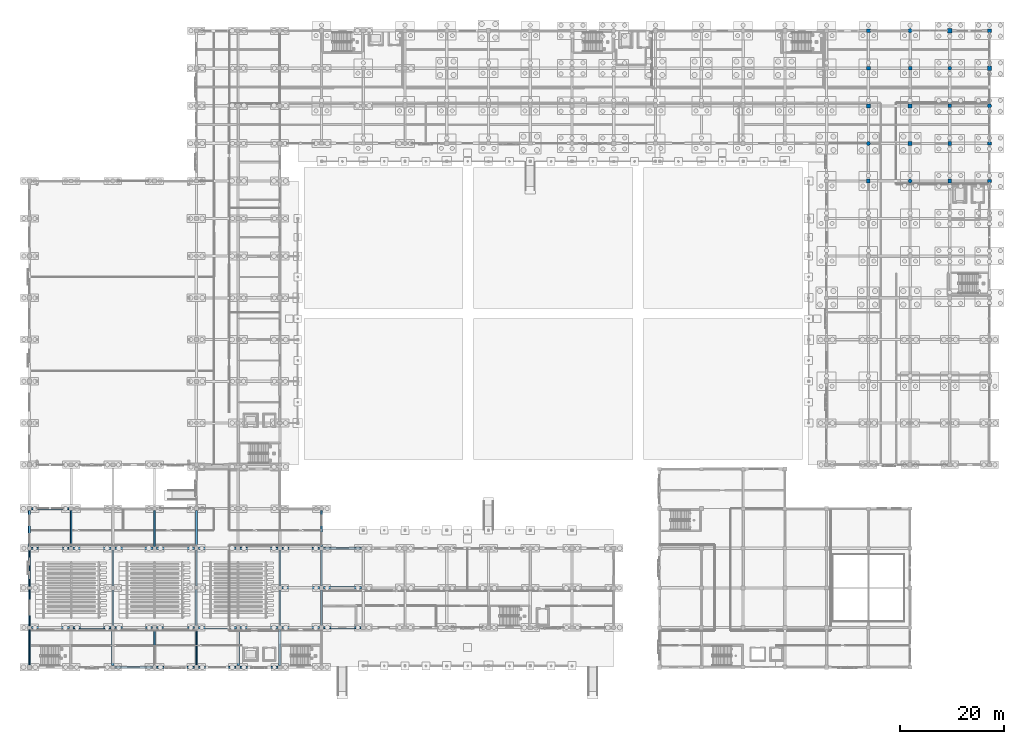
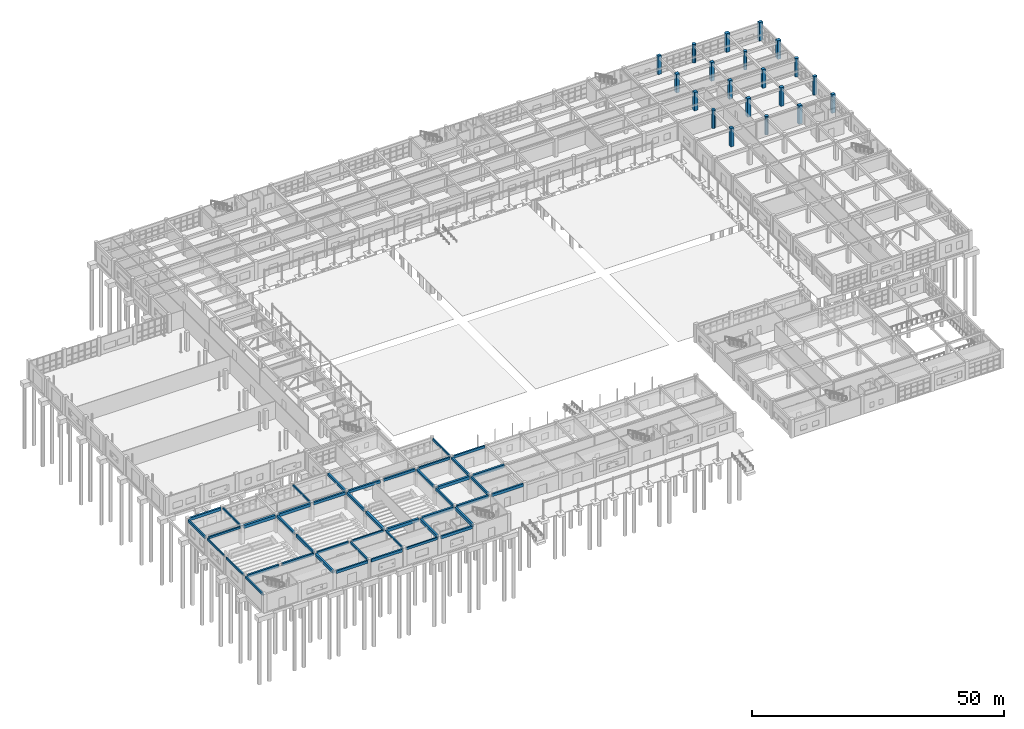
# One storey, part 49 of 166: 44 beams, 20 columns.
"""IFC4 building model written with IfcOpenShell, lengths in metres."""

from ifc_helpers import new_model, si_unit, direction, frame, origin, origin_2d, place, context, subcontext, project, spatial, rectangle, circle, extrude, material, material_profile, profile_set, type_object, element, save


model = new_model("IFC4")

# Units and contexts
model_context = context("Model", 3, precision=1e-05, world=origin(), true_north=direction((0.0, 1.0)))
body_context = subcontext(model_context, "Body", "Model", "MODEL_VIEW")
ifc_project = project(units=[si_unit("LENGTHUNIT", "METRE"), si_unit("AREAUNIT", "SQUARE_METRE"), si_unit("VOLUMEUNIT", "CUBIC_METRE"), si_unit("PLANEANGLEUNIT", "RADIAN"), si_unit("MASSUNIT", "GRAM", prefix="KILO")], contexts=[model_context])

# Site, building, storey
site_placement = place(None, origin())
site = spatial("IfcSite", under=ifc_project, at=site_placement, CompositionType="ELEMENT")
building_placement = place(site_placement, origin())
building = spatial("IfcBuilding", under=site, at=building_placement, Name="Kharva Crest Polytechnic", CompositionType="ELEMENT")
storey_placement = place(building_placement, origin())
storey = spatial("IfcBuildingStorey", under=building, at=storey_placement, Name="L00", CompositionType="ELEMENT", Elevation=0.0)

# Columns
ifc_material_1 = material(Name="Concrete C40/50", Category="concrete")
ifc_material_profile_1 = material_profile(ifc_material_1, rectangle(XDim=0.780029296875, YDim=0.60009765625, at=origin_2d()), Name="RECT 780 X 600")
ifc_profile_set_1 = profile_set([ifc_material_profile_1], Name="Concrete C40/50")
column_type_1 = type_object("IfcColumnType", Name="COL-EXT-780X600", PredefinedType="COLUMN", material=ifc_profile_set_1)
for number, where, z_axis, x_axis, name in (
    (1, (160.800048828125, 122.0, 0.0), (0.0, 0.0, 1.0), (1.0, 0.0, 0.0), "L00 Column 21/S"),
    (2, (184.0, 100.39990234375, 0.0), (0.0, 0.0, 1.0), (1.0, 0.0, 0.0), "L00 Column 24/P"),
):
    element("IfcColumn", number, at=place(storey_placement, frame(where, z_axis=z_axis, x_axis=x_axis)), inside=storey, type_object=column_type_1, Name=name, PredefinedType="COLUMN", context=body_context, shape_type="SweptSolid", body=[
        extrude(rectangle(XDim=0.780029296875, YDim=0.60009765625, at=origin_2d()), origin(), (0.0, 0.0, 1.0), 4.5),
    ])
ifc_material_profile_2 = material_profile(ifc_material_1, rectangle(XDim=0.800048828125, YDim=0.64990234375, at=origin_2d()), Name="RECT 800 X 650")
ifc_profile_set_2 = profile_set([ifc_material_profile_2], Name="Concrete C40/50")
column_type_2 = type_object("IfcColumnType", Name="COL-EXT-800X650", PredefinedType="COLUMN", material=ifc_profile_set_2)
for number, where, z_axis, x_axis, name in (
    (3, (184.0, 93.199951171875, 0.0), (0.0, 0.0, 1.0), (1.0, 0.0, 0.0), "L00 Column 24/N"),
    (4, (184.0, 122.0, 0.0), (0.0, 0.0, 1.0), (1.0, 0.0, 0.0), "L00 Column 24/S"),
):
    element("IfcColumn", number, at=place(storey_placement, frame(where, z_axis=z_axis, x_axis=x_axis)), inside=storey, type_object=column_type_2, Name=name, PredefinedType="COLUMN", context=body_context, shape_type="SweptSolid", body=[
        extrude(rectangle(XDim=0.800048828125, YDim=0.64990234375, at=origin_2d()), origin(), (0.0, 0.0, 1.0), 4.5),
    ])
ifc_material_profile_3 = material_profile(ifc_material_1, rectangle(XDim=0.800048828125, YDim=0.800048828125, at=origin_2d()), Name="RECT 800 X 800")
ifc_profile_set_3 = profile_set([ifc_material_profile_3], Name="Concrete C40/50")
column_type_3 = type_object("IfcColumnType", Name="COL-EXT-800X800", PredefinedType="COLUMN", material=ifc_profile_set_3)
for number, where, z_axis, x_axis, name in (
    (5, (176.39990234375, 122.0, 0.0), (0.0, 0.0, 1.0), (1.0, 0.0, 0.0), "L00 Column 23/S"),
    (6, (184.0, 114.800048828125, 0.0), (0.0, 0.0, 1.0), (1.0, 0.0, 0.0), "L00 Column 24/R"),
):
    element("IfcColumn", number, at=place(storey_placement, frame(where, z_axis=z_axis, x_axis=x_axis)), inside=storey, type_object=column_type_3, Name=name, PredefinedType="COLUMN", context=body_context, shape_type="SweptSolid", body=[
        extrude(rectangle(XDim=0.800048828125, YDim=0.800048828125, at=origin_2d()), origin(), (0.0, 0.0, 1.0), 4.5),
    ])
ifc_material_profile_4 = material_profile(ifc_material_1, circle(Radius=0.39990234375, at=origin_2d()), Name="DIA 800")
ifc_profile_set_4 = profile_set([ifc_material_profile_4], Name="Concrete C40/50")
column_type_4 = type_object("IfcColumnType", Name="COL-EXT-DIA800", PredefinedType="COLUMN", material=ifc_profile_set_4)
for number, where, z_axis, x_axis, name in (
    (7, (168.800048828125, 122.0, 0.0), (0.0, 0.0, 1.0), (1.0, 0.0, 0.0), "L00 Column 22/S"),
    (8, (184.0, 107.60009765625, 0.0), (0.0, 0.0, 1.0), (1.0, 0.0, 0.0), "L00 Column 24/Q"),
):
    element("IfcColumn", number, at=place(storey_placement, frame(where, z_axis=z_axis, x_axis=x_axis)), inside=storey, type_object=column_type_4, Name=name, PredefinedType="COLUMN", context=body_context, shape_type="SweptSolid", body=[
        extrude(circle(Radius=0.39990234375, at=origin_2d()), origin(), (0.0, 0.0, 1.0), 4.5),
    ])
ifc_material_profile_5 = material_profile(ifc_material_1, rectangle(XDim=0.699951171875, YDim=0.699951171875, at=origin_2d()), Name="RECT 700 X 700")
ifc_profile_set_5 = profile_set([ifc_material_profile_5], Name="Concrete C40/50")
column_type_5 = type_object("IfcColumnType", Name="COL-INT-700X700", PredefinedType="COLUMN", material=ifc_profile_set_5)
for number, where, z_axis, x_axis, name in (
    (9, (160.800048828125, 93.199951171875, 0.0), (0.0, 0.0, 1.0), (1.0, 0.0, 0.0), "L00 Column 21/N"),
    (10, (168.800048828125, 114.800048828125, 0.0), (0.0, 0.0, 1.0), (1.0, 0.0, 0.0), "L00 Column 22/R"),
    (11, (176.39990234375, 107.60009765625, 0.0), (0.0, 0.0, 1.0), (1.0, 0.0, 0.0), "L00 Column 23/Q"),
):
    element("IfcColumn", number, at=place(storey_placement, frame(where, z_axis=z_axis, x_axis=x_axis)), inside=storey, type_object=column_type_5, Name=name, PredefinedType="COLUMN", context=body_context, shape_type="SweptSolid", body=[
        extrude(rectangle(XDim=0.699951171875, YDim=0.699951171875, at=origin_2d()), origin(), (0.0, 0.0, 1.0), 4.5),
    ])
ifc_material_profile_6 = material_profile(ifc_material_1, rectangle(XDim=0.739990234375, YDim=0.739990234375, at=origin_2d()), Name="RECT 740 X 740")
ifc_profile_set_6 = profile_set([ifc_material_profile_6], Name="Concrete C40/50")
column_type_6 = type_object("IfcColumnType", Name="COL-INT-740X740", PredefinedType="COLUMN", material=ifc_profile_set_6)
for number, where, z_axis, x_axis, name in (
    (12, (160.800048828125, 114.800048828125, 0.0), (0.0, 0.0, 1.0), (1.0, 0.0, 0.0), "L00 Column 21/R"),
    (13, (168.800048828125, 107.60009765625, 0.0), (0.0, 0.0, 1.0), (1.0, 0.0, 0.0), "L00 Column 22/Q"),
    (14, (176.39990234375, 100.39990234375, 0.0), (0.0, 0.0, 1.0), (1.0, 0.0, 0.0), "L00 Column 23/P"),
):
    element("IfcColumn", number, at=place(storey_placement, frame(where, z_axis=z_axis, x_axis=x_axis)), inside=storey, type_object=column_type_6, Name=name, PredefinedType="COLUMN", context=body_context, shape_type="SweptSolid", body=[
        extrude(rectangle(XDim=0.739990234375, YDim=0.739990234375, at=origin_2d()), origin(), (0.0, 0.0, 1.0), 4.5),
    ])
ifc_material_profile_7 = material_profile(ifc_material_1, rectangle(XDim=0.760009765625, YDim=0.760009765625, at=origin_2d()), Name="RECT 760 X 760")
ifc_profile_set_7 = profile_set([ifc_material_profile_7], Name="Concrete C40/50")
column_type_7 = type_object("IfcColumnType", Name="COL-INT-760X760", PredefinedType="COLUMN", material=ifc_profile_set_7)
for number, where, z_axis, x_axis, name in (
    (15, (160.800048828125, 107.60009765625, 0.0), (0.0, 0.0, 1.0), (1.0, 0.0, 0.0), "L00 Column 21/Q"),
    (16, (168.800048828125, 100.39990234375, 0.0), (0.0, 0.0, 1.0), (1.0, 0.0, 0.0), "L00 Column 22/P"),
    (17, (176.39990234375, 93.199951171875, 0.0), (0.0, 0.0, 1.0), (1.0, 0.0, 0.0), "L00 Column 23/N"),
):
    element("IfcColumn", number, at=place(storey_placement, frame(where, z_axis=z_axis, x_axis=x_axis)), inside=storey, type_object=column_type_7, Name=name, PredefinedType="COLUMN", context=body_context, shape_type="SweptSolid", body=[
        extrude(rectangle(XDim=0.760009765625, YDim=0.760009765625, at=origin_2d()), origin(), (0.0, 0.0, 1.0), 4.5),
    ])
ifc_material_profile_8 = material_profile(ifc_material_1, circle(Radius=0.375, at=origin_2d()), Name="DIA 750")
ifc_profile_set_8 = profile_set([ifc_material_profile_8], Name="Concrete C40/50")
column_type_8 = type_object("IfcColumnType", Name="COL-INT-DIA750", PredefinedType="COLUMN", material=ifc_profile_set_8)
for number, where, z_axis, x_axis, name in (
    (18, (160.800048828125, 100.39990234375, 0.0), (0.0, 0.0, 1.0), (1.0, 0.0, 0.0), "L00 Column 21/P"),
    (19, (168.800048828125, 93.199951171875, 0.0), (0.0, 0.0, 1.0), (1.0, 0.0, 0.0), "L00 Column 22/N"),
    (20, (176.39990234375, 114.800048828125, 0.0), (0.0, 0.0, 1.0), (1.0, 0.0, 0.0), "L00 Column 23/R"),
):
    element("IfcColumn", number, at=place(storey_placement, frame(where, z_axis=z_axis, x_axis=x_axis)), inside=storey, type_object=column_type_8, Name=name, PredefinedType="COLUMN", context=body_context, shape_type="SweptSolid", body=[
        extrude(circle(Radius=0.375, at=origin_2d()), origin(), (0.0, 0.0, 1.0), 4.5),
    ])

# Beams
ifc_material_2 = material(Name="Concrete C35/45", Category="concrete")
ifc_material_profile_9 = material_profile(ifc_material_2, rectangle(XDim=0.300048828125, YDim=0.449951171875, at=origin_2d()), Name="RECT 300 X 450")
ifc_profile_set_9 = profile_set([ifc_material_profile_9], Name="Concrete C35/45")
beam_type_1 = type_object("IfcBeamType", Name="BM-RC-300X450", PredefinedType="BEAM", material=ifc_profile_set_9)
beam_1_placement = place(storey_placement, frame((8.0, 23.179931640625, 3.9951171875), z_axis=(0.0, 1.0, 0.0), x_axis=(-1.0, 0.0, 0.0)))
element("IfcBeam", 21, at=beam_1_placement, inside=storey, type_object=beam_type_1, Name="L00 Girder 2/D-E", PredefinedType="BEAM", context=body_context, shape_type="SweptSolid", body=[
    extrude(rectangle(XDim=0.300048828125, YDim=0.449951171875, at=origin_2d()), origin(), (0.0, 0.0, 1.0), 6.89501953125),
])
beam_2_placement = place(storey_placement, frame((32.0, 0.39990234375, 3.9951171875), z_axis=(0.0, 1.0, 0.0), x_axis=(-1.0, 0.0, 0.0)))
element("IfcBeam", 22, at=beam_2_placement, inside=storey, type_object=beam_type_1, Name="L00 Girder 5/A-B", PredefinedType="BEAM", context=body_context, shape_type="SweptSolid", body=[
    extrude(rectangle(XDim=0.300048828125, YDim=0.449951171875, at=origin_2d()), origin(), (0.0, 0.0, 1.0), 6.830078125),
])
ifc_material_profile_10 = material_profile(ifc_material_2, rectangle(XDim=0.300048828125, YDim=0.47998046875, at=origin_2d()), Name="RECT 300 X 480")
ifc_profile_set_10 = profile_set([ifc_material_profile_10], Name="Concrete C35/45")
beam_type_2 = type_object("IfcBeamType", Name="BM-RC-300X480", PredefinedType="BEAM", material=ifc_profile_set_10)
beam_3_placement = place(storey_placement, frame((24.0, 23.14990234375, 3.97998046875), z_axis=(0.0, 1.0, 0.0), x_axis=(-1.0, 0.0, 0.0)))
element("IfcBeam", 23, at=beam_3_placement, inside=storey, type_object=beam_type_2, Name="L00 Girder 4/D-E", PredefinedType="BEAM", context=body_context, shape_type="SweptSolid", body=[
    extrude(rectangle(XDim=0.300048828125, YDim=0.47998046875, at=origin_2d()), origin(), (0.0, 0.0, 1.0), 6.85009765625),
])
ifc_material_profile_11 = material_profile(ifc_material_2, rectangle(XDim=0.320068359375, YDim=0.5, at=origin_2d()), Name="RECT 320 X 500")
ifc_profile_set_11 = profile_set([ifc_material_profile_11], Name="Concrete C35/45")
beam_type_3 = type_object("IfcBeamType", Name="BM-RC-320X500", PredefinedType="BEAM", material=ifc_profile_set_11)
beam_4_placement = place(storey_placement, frame((24.3798828125, 7.60009765625, 3.969970703125), z_axis=(1.0, 0.0, 0.0), x_axis=(0.0, 1.0, 0.0)))
element("IfcBeam", 24, at=beam_4_placement, inside=storey, type_object=beam_type_3, Name="L00 Beam B/4-5", PredefinedType="BEAM", context=body_context, shape_type="SweptSolid", body=[
    extrude(rectangle(XDim=0.320068359375, YDim=0.5, at=origin_2d()), origin(), (0.0, 0.0, 1.0), 7.25),
])
beam_5_placement = place(storey_placement, frame((0.39990234375, 22.800048828125, 3.969970703125), z_axis=(1.0, 0.0, 0.0), x_axis=(0.0, 1.0, 0.0)))
element("IfcBeam", 25, at=beam_5_placement, inside=storey, type_object=beam_type_3, Name="L00 Beam D/1-2", PredefinedType="BEAM", context=body_context, shape_type="SweptSolid", body=[
    extrude(rectangle(XDim=0.320068359375, YDim=0.5, at=origin_2d()), origin(), (0.0, 0.0, 1.0), 7.22021484375),
])
ifc_material_profile_12 = material_profile(ifc_material_2, rectangle(XDim=0.340087890625, YDim=0.52001953125, at=origin_2d()), Name="RECT 340 X 520")
ifc_profile_set_12 = profile_set([ifc_material_profile_12], Name="Concrete C35/45")
beam_type_4 = type_object("IfcBeamType", Name="BM-RC-340X520", PredefinedType="BEAM", material=ifc_profile_set_12)
beam_6_placement = place(storey_placement, frame((24.0, 0.39990234375, 3.9599609375), z_axis=(0.0, 1.0, 0.0), x_axis=(-1.0, 0.0, 0.0)))
element("IfcBeam", 26, at=beam_6_placement, inside=storey, type_object=beam_type_4, Name="L00 Girder 4/A-B", PredefinedType="BEAM", context=body_context, shape_type="SweptSolid", body=[
    extrude(rectangle(XDim=0.340087890625, YDim=0.52001953125, at=origin_2d()), origin(), (0.0, 0.0, 1.0), 6.820068359375),
])
ifc_material_profile_13 = material_profile(ifc_material_2, rectangle(XDim=0.35009765625, YDim=0.550048828125, at=origin_2d()), Name="RECT 350 X 550")
ifc_profile_set_13 = profile_set([ifc_material_profile_13], Name="Concrete C35/45")
beam_type_5 = type_object("IfcBeamType", Name="BM-RC-350X550", PredefinedType="BEAM", material=ifc_profile_set_13)
beam_7_placement = place(storey_placement, frame((16.375, 7.60009765625, 3.945068359375), z_axis=(1.0, 0.0, 0.0), x_axis=(0.0, 1.0, 0.0)))
element("IfcBeam", 27, at=beam_7_placement, inside=storey, type_object=beam_type_5, Name="L00 Beam B/3-4", PredefinedType="BEAM", context=body_context, shape_type="SweptSolid", body=[
    extrude(rectangle(XDim=0.35009765625, YDim=0.550048828125, at=origin_2d()), origin(), (0.0, 0.0, 1.0), 7.2451171875),
])
beam_8_placement = place(storey_placement, frame((48.3701171875, 22.800048828125, 3.945068359375), z_axis=(1.0, 0.0, 0.0), x_axis=(0.0, 1.0, 0.0)))
element("IfcBeam", 28, at=beam_8_placement, inside=storey, type_object=beam_type_5, Name="L00 Beam D/7-8", PredefinedType="BEAM", context=body_context, shape_type="SweptSolid", body=[
    extrude(rectangle(XDim=0.35009765625, YDim=0.550048828125, at=origin_2d()), origin(), (0.0, 0.0, 1.0), 7.239990234375),
])
ifc_material_profile_14 = material_profile(ifc_material_2, rectangle(XDim=0.3798828125, YDim=0.60009765625, at=origin_2d()), Name="RECT 380 X 600")
ifc_profile_set_14 = profile_set([ifc_material_profile_14], Name="Concrete C35/45")
beam_type_6 = type_object("IfcBeamType", Name="BM-RC-380X600", PredefinedType="BEAM", material=ifc_profile_set_14)
beam_9_placement = place(storey_placement, frame((8.35009765625, 7.60009765625, 3.919921875), z_axis=(1.0, 0.0, 0.0), x_axis=(0.0, 1.0, 0.0)))
element("IfcBeam", 29, at=beam_9_placement, inside=storey, type_object=beam_type_6, Name="L00 Beam B/2-3", PredefinedType="BEAM", context=body_context, shape_type="SweptSolid", body=[
    extrude(rectangle(XDim=0.3798828125, YDim=0.60009765625, at=origin_2d()), origin(), (0.0, 0.0, 1.0), 7.27490234375),
])
beam_10_placement = place(storey_placement, frame((40.3798828125, 22.800048828125, 3.919921875), z_axis=(1.0, 0.0, 0.0), x_axis=(0.0, 1.0, 0.0)))
element("IfcBeam", 30, at=beam_10_placement, inside=storey, type_object=beam_type_6, Name="L00 Beam D/6-7", PredefinedType="BEAM", context=body_context, shape_type="SweptSolid", body=[
    extrude(rectangle(XDim=0.3798828125, YDim=0.60009765625, at=origin_2d()), origin(), (0.0, 0.0, 1.0), 7.25),
])
ifc_material_profile_15 = material_profile(ifc_material_2, rectangle(XDim=0.39990234375, YDim=0.580078125, at=origin_2d()), Name="RECT 400 X 580")
ifc_profile_set_15 = profile_set([ifc_material_profile_15], Name="Concrete C35/45")
beam_type_7 = type_object("IfcBeamType", Name="BM-RC-400X580", PredefinedType="BEAM", material=ifc_profile_set_15)
beam_11_placement = place(storey_placement, frame((16.0, 15.580078125, 3.929931640625), z_axis=(0.0, 1.0, 0.0), x_axis=(-1.0, 0.0, 0.0)))
element("IfcBeam", 31, at=beam_11_placement, inside=storey, type_object=beam_type_7, Name="L00 Girder 3/C-D", PredefinedType="BEAM", context=body_context, shape_type="SweptSolid", body=[
    extrude(rectangle(XDim=0.39990234375, YDim=0.580078125, at=origin_2d()), origin(), (0.0, 0.0, 1.0), 6.849853515625),
])
beam_12_placement = place(storey_placement, frame((32.0, 23.175048828125, 3.929931640625), z_axis=(0.0, 1.0, 0.0), x_axis=(-1.0, 0.0, 0.0)))
element("IfcBeam", 32, at=beam_12_placement, inside=storey, type_object=beam_type_7, Name="L00 Girder 5/D-E", PredefinedType="BEAM", context=body_context, shape_type="SweptSolid", body=[
    extrude(rectangle(XDim=0.39990234375, YDim=0.580078125, at=origin_2d()), origin(), (0.0, 0.0, 1.0), 6.824951171875),
])
beam_13_placement = place(storey_placement, frame((48.0, 15.580078125, 3.929931640625), z_axis=(0.0, 1.0, 0.0), x_axis=(-1.0, 0.0, 0.0)))
element("IfcBeam", 33, at=beam_13_placement, inside=storey, type_object=beam_type_7, Name="L00 Girder 7/C-D", PredefinedType="BEAM", context=body_context, shape_type="SweptSolid", body=[
    extrude(rectangle(XDim=0.39990234375, YDim=0.580078125, at=origin_2d()), origin(), (0.0, 0.0, 1.0), 6.849853515625),
])
beam_14_placement = place(storey_placement, frame((56.0, 15.570068359375, 3.929931640625), z_axis=(0.0, 1.0, 0.0), x_axis=(-1.0, 0.0, 0.0)))
element("IfcBeam", 34, at=beam_14_placement, inside=storey, type_object=beam_type_7, Name="L00 Girder 8/C-D", PredefinedType="BEAM", context=body_context, shape_type="SweptSolid", body=[
    extrude(rectangle(XDim=0.39990234375, YDim=0.580078125, at=origin_2d()), origin(), (0.0, 0.0, 1.0), 6.929931640625),
])
ifc_material_profile_16 = material_profile(ifc_material_2, rectangle(XDim=0.39990234375, YDim=0.6201171875, at=origin_2d()), Name="RECT 400 X 620")
ifc_profile_set_16 = profile_set([ifc_material_profile_16], Name="Concrete C35/45")
beam_type_8 = type_object("IfcBeamType", Name="BM-RC-400X620", PredefinedType="BEAM", material=ifc_profile_set_16)
beam_15_placement = place(storey_placement, frame((16.0, 7.97509765625, 3.909912109375), z_axis=(0.0, 1.0, 0.0), x_axis=(-1.0, 0.0, 0.0)))
element("IfcBeam", 35, at=beam_15_placement, inside=storey, type_object=beam_type_8, Name="L00 Girder 3/B-C", PredefinedType="BEAM", context=body_context, shape_type="SweptSolid", body=[
    extrude(rectangle(XDim=0.39990234375, YDim=0.6201171875, at=origin_2d()), origin(), (0.0, 0.0, 1.0), 6.844970703125),
])
beam_16_placement = place(storey_placement, frame((32.0, 15.550048828125, 3.909912109375), z_axis=(0.0, 1.0, 0.0), x_axis=(-1.0, 0.0, 0.0)))
element("IfcBeam", 36, at=beam_16_placement, inside=storey, type_object=beam_type_8, Name="L00 Girder 5/C-D", PredefinedType="BEAM", context=body_context, shape_type="SweptSolid", body=[
    extrude(rectangle(XDim=0.39990234375, YDim=0.6201171875, at=origin_2d()), origin(), (0.0, 0.0, 1.0), 6.875),
])
beam_17_placement = place(storey_placement, frame((48.0, 7.97509765625, 3.909912109375), z_axis=(0.0, 1.0, 0.0), x_axis=(-1.0, 0.0, 0.0)))
element("IfcBeam", 37, at=beam_17_placement, inside=storey, type_object=beam_type_8, Name="L00 Girder 7/B-C", PredefinedType="BEAM", context=body_context, shape_type="SweptSolid", body=[
    extrude(rectangle(XDim=0.39990234375, YDim=0.6201171875, at=origin_2d()), origin(), (0.0, 0.0, 1.0), 6.844970703125),
])
beam_18_placement = place(storey_placement, frame((56.0, 8.0, 3.909912109375), z_axis=(0.0, 1.0, 0.0), x_axis=(-1.0, 0.0, 0.0)))
element("IfcBeam", 38, at=beam_18_placement, inside=storey, type_object=beam_type_8, Name="L00 Girder 8/B-C", PredefinedType="BEAM", context=body_context, shape_type="SweptSolid", body=[
    extrude(rectangle(XDim=0.39990234375, YDim=0.6201171875, at=origin_2d()), origin(), (0.0, 0.0, 1.0), 6.830078125),
])
ifc_material_profile_17 = material_profile(ifc_material_2, rectangle(XDim=0.39990234375, YDim=0.64990234375, at=origin_2d()), Name="RECT 400 X 650")
ifc_profile_set_17 = profile_set([ifc_material_profile_17], Name="Concrete C35/45")
beam_type_9 = type_object("IfcBeamType", Name="BM-RC-400X650", PredefinedType="BEAM", material=ifc_profile_set_17)
beam_19_placement = place(storey_placement, frame((0.39990234375, 7.60009765625, 3.89501953125), z_axis=(1.0, 0.0, 0.0), x_axis=(0.0, 1.0, 0.0)))
element("IfcBeam", 39, at=beam_19_placement, inside=storey, type_object=beam_type_9, Name="L00 Beam B/1-2", PredefinedType="BEAM", context=body_context, shape_type="SweptSolid", body=[
    extrude(rectangle(XDim=0.39990234375, YDim=0.64990234375, at=origin_2d()), origin(), (0.0, 0.0, 1.0), 7.25),
])
beam_20_placement = place(storey_placement, frame((32.375, 22.800048828125, 3.89501953125), z_axis=(1.0, 0.0, 0.0), x_axis=(0.0, 1.0, 0.0)))
element("IfcBeam", 40, at=beam_20_placement, inside=storey, type_object=beam_type_9, Name="L00 Beam D/5-6", PredefinedType="BEAM", context=body_context, shape_type="SweptSolid", body=[
    extrude(rectangle(XDim=0.39990234375, YDim=0.64990234375, at=origin_2d()), origin(), (0.0, 0.0, 1.0), 7.2451171875),
])
ifc_material_profile_18 = material_profile(ifc_material_2, rectangle(XDim=0.419921875, YDim=0.659912109375, at=origin_2d()), Name="RECT 420 X 660")
ifc_profile_set_18 = profile_set([ifc_material_profile_18], Name="Concrete C35/45")
beam_type_10 = type_object("IfcBeamType", Name="BM-RC-420X660", PredefinedType="BEAM", material=ifc_profile_set_18)
beam_21_placement = place(storey_placement, frame((48.375, 7.60009765625, 3.889892578125), z_axis=(1.0, 0.0, 0.0), x_axis=(0.0, 1.0, 0.0)))
element("IfcBeam", 41, at=beam_21_placement, inside=storey, type_object=beam_type_10, Name="L00 Beam B/7-8", PredefinedType="BEAM", context=body_context, shape_type="SweptSolid", body=[
    extrude(rectangle(XDim=0.419921875, YDim=0.659912109375, at=origin_2d()), origin(), (0.0, 0.0, 1.0), 7.22509765625),
])
beam_22_placement = place(storey_placement, frame((24.35009765625, 22.800048828125, 3.889892578125), z_axis=(1.0, 0.0, 0.0), x_axis=(0.0, 1.0, 0.0)))
element("IfcBeam", 42, at=beam_22_placement, inside=storey, type_object=beam_type_10, Name="L00 Beam D/4-5", PredefinedType="BEAM", context=body_context, shape_type="SweptSolid", body=[
    extrude(rectangle(XDim=0.419921875, YDim=0.659912109375, at=origin_2d()), origin(), (0.0, 0.0, 1.0), 7.27490234375),
])
ifc_material_profile_19 = material_profile(ifc_material_2, rectangle(XDim=0.449951171875, YDim=0.679931640625, at=origin_2d()), Name="RECT 450 X 680")
ifc_profile_set_19 = profile_set([ifc_material_profile_19], Name="Concrete C35/45")
beam_type_11 = type_object("IfcBeamType", Name="BM-RC-450X680", PredefinedType="BEAM", material=ifc_profile_set_19)
beam_23_placement = place(storey_placement, frame((16.0, 0.300048828125, 3.8798828125), z_axis=(0.0, 1.0, 0.0), x_axis=(-1.0, 0.0, 0.0)))
element("IfcBeam", 43, at=beam_23_placement, inside=storey, type_object=beam_type_11, Name="L00 Girder 3/A-B", PredefinedType="BEAM", context=body_context, shape_type="SweptSolid", body=[
    extrude(rectangle(XDim=0.449951171875, YDim=0.679931640625, at=origin_2d()), origin(), (0.0, 0.0, 1.0), 6.925048828125),
])
beam_24_placement = place(storey_placement, frame((32.0, 7.969970703125, 3.8798828125), z_axis=(0.0, 1.0, 0.0), x_axis=(-1.0, 0.0, 0.0)))
element("IfcBeam", 44, at=beam_24_placement, inside=storey, type_object=beam_type_11, Name="L00 Girder 5/B-C", PredefinedType="BEAM", context=body_context, shape_type="SweptSolid", body=[
    extrude(rectangle(XDim=0.449951171875, YDim=0.679931640625, at=origin_2d()), origin(), (0.0, 0.0, 1.0), 6.880126953125),
])
for number, where, z_axis, x_axis, name in (
    (45, (40.0, 0.324951171875, 3.8798828125), (0.0, 1.0, 0.0), (-1.0, 0.0, 0.0), "L00 Girder 6/A-B"),
    (46, (48.0, 0.300048828125, 3.8798828125), (0.0, 1.0, 0.0), (-1.0, 0.0, 0.0), "L00 Girder 7/A-B"),
):
    element("IfcBeam", number, at=place(storey_placement, frame(where, z_axis=z_axis, x_axis=x_axis)), inside=storey, type_object=beam_type_11, Name=name, PredefinedType="BEAM", context=body_context, shape_type="SweptSolid", body=[
        extrude(rectangle(XDim=0.449951171875, YDim=0.679931640625, at=origin_2d()), origin(), (0.0, 0.0, 1.0), 6.925048828125),
    ])
ifc_material_profile_20 = material_profile(ifc_material_2, rectangle(XDim=0.449951171875, YDim=0.719970703125, at=origin_2d()), Name="RECT 450 X 720")
ifc_profile_set_20 = profile_set([ifc_material_profile_20], Name="Concrete C35/45")
beam_type_12 = type_object("IfcBeamType", Name="BM-RC-450X720", PredefinedType="BEAM", material=ifc_profile_set_20)
beam_25_placement = place(storey_placement, frame((40.35009765625, 7.60009765625, 3.860107421875), z_axis=(1.0, 0.0, 0.0), x_axis=(0.0, 1.0, 0.0)))
element("IfcBeam", 47, at=beam_25_placement, inside=storey, type_object=beam_type_12, Name="L00 Beam B/6-7", PredefinedType="BEAM", context=body_context, shape_type="SweptSolid", body=[
    extrude(rectangle(XDim=0.449951171875, YDim=0.719970703125, at=origin_2d()), origin(), (0.0, 0.0, 1.0), 7.27490234375),
])
for number, where, z_axis, x_axis, name in (
    (48, (56.3701171875, 15.199951171875, 3.860107421875), (1.0, 0.0, 0.0), (0.0, 1.0, 0.0), "L00 Beam C/8-9"),
    (49, (16.3701171875, 22.800048828125, 3.860107421875), (1.0, 0.0, 0.0), (0.0, 1.0, 0.0), "L00 Beam D/3-4"),
):
    element("IfcBeam", number, at=place(storey_placement, frame(where, z_axis=z_axis, x_axis=x_axis)), inside=storey, type_object=beam_type_12, Name=name, PredefinedType="BEAM", context=body_context, shape_type="SweptSolid", body=[
        extrude(rectangle(XDim=0.449951171875, YDim=0.719970703125, at=origin_2d()), origin(), (0.0, 0.0, 1.0), 7.27978515625),
    ])
ifc_material_profile_21 = material_profile(ifc_material_2, rectangle(XDim=0.47998046875, YDim=0.75, at=origin_2d()), Name="RECT 480 X 750")
ifc_profile_set_21 = profile_set([ifc_material_profile_21], Name="Concrete C35/45")
beam_type_13 = type_object("IfcBeamType", Name="BM-RC-480X750", PredefinedType="BEAM", material=ifc_profile_set_21)
beam_26_placement = place(storey_placement, frame((32.3701171875, 7.60009765625, 3.844970703125), z_axis=(1.0, 0.0, 0.0), x_axis=(0.0, 1.0, 0.0)))
element("IfcBeam", 50, at=beam_26_placement, inside=storey, type_object=beam_type_13, Name="L00 Beam B/5-6", PredefinedType="BEAM", context=body_context, shape_type="SweptSolid", body=[
    extrude(rectangle(XDim=0.47998046875, YDim=0.75, at=origin_2d()), origin(), (0.0, 0.0, 1.0), 7.27978515625),
])
for number, where, z_axis, x_axis, name in (
    (51, (48.3798828125, 15.199951171875, 3.844970703125), (1.0, 0.0, 0.0), (0.0, 1.0, 0.0), "L00 Beam C/7-8"),
    (52, (8.3798828125, 22.800048828125, 3.844970703125), (1.0, 0.0, 0.0), (0.0, 1.0, 0.0), "L00 Beam D/2-3"),
):
    element("IfcBeam", number, at=place(storey_placement, frame(where, z_axis=z_axis, x_axis=x_axis)), inside=storey, type_object=beam_type_13, Name=name, PredefinedType="BEAM", context=body_context, shape_type="SweptSolid", body=[
        extrude(rectangle(XDim=0.47998046875, YDim=0.75, at=origin_2d()), origin(), (0.0, 0.0, 1.0), 7.25),
    ])
ifc_material_profile_22 = material_profile(ifc_material_2, rectangle(XDim=0.260009765625, YDim=0.43994140625, at=origin_2d()), Name="RECT 260 X 440")
ifc_profile_set_22 = profile_set([ifc_material_profile_22], Name="Concrete C35/45")
beam_type_14 = type_object("IfcBeamType", Name="SP-RC-260X440", PredefinedType="SPANDREL", material=ifc_profile_set_22)
beam_27_placement = place(storey_placement, frame((0.0, 15.5, 4.0), z_axis=(0.0, 1.0, 0.0), x_axis=(-1.0, 0.0, 0.0)))
element("IfcBeam", 53, at=beam_27_placement, inside=storey, type_object=beam_type_14, Name="L00 Girder 1/C-D", PredefinedType="SPANDREL", context=body_context, shape_type="SweptSolid", body=[
    extrude(rectangle(XDim=0.260009765625, YDim=0.43994140625, at=origin_2d()), origin(), (0.0, 0.0, 1.0), 6.89990234375),
])
ifc_material_profile_23 = material_profile(ifc_material_2, rectangle(XDim=0.280029296875, YDim=0.4599609375, at=origin_2d()), Name="RECT 280 X 460")
ifc_profile_set_23 = profile_set([ifc_material_profile_23], Name="Concrete C35/45")
beam_type_15 = type_object("IfcBeamType", Name="SP-RC-280X460", PredefinedType="SPANDREL", material=ifc_profile_set_23)
beam_28_placement = place(storey_placement, frame((0.0, 7.925048828125, 3.989990234375), z_axis=(0.0, 1.0, 0.0), x_axis=(-1.0, 0.0, 0.0)))
element("IfcBeam", 54, at=beam_28_placement, inside=storey, type_object=beam_type_15, Name="L00 Girder 1/B-C", PredefinedType="SPANDREL", context=body_context, shape_type="SweptSolid", body=[
    extrude(rectangle(XDim=0.280029296875, YDim=0.4599609375, at=origin_2d()), origin(), (0.0, 0.0, 1.0), 6.974853515625),
])
ifc_material_profile_24 = material_profile(ifc_material_2, rectangle(XDim=0.300048828125, YDim=0.52001953125, at=origin_2d()), Name="RECT 300 X 520")
ifc_profile_set_24 = profile_set([ifc_material_profile_24], Name="Concrete C35/45")
beam_type_16 = type_object("IfcBeamType", Name="SP-RC-300X520", PredefinedType="SPANDREL", material=ifc_profile_set_24)
beam_29_placement = place(storey_placement, frame((0.0, 0.39990234375, 3.9599609375), z_axis=(0.0, 1.0, 0.0), x_axis=(-1.0, 0.0, 0.0)))
element("IfcBeam", 55, at=beam_29_placement, inside=storey, type_object=beam_type_16, Name="L00 Girder 1/A-B", PredefinedType="SPANDREL", context=body_context, shape_type="SweptSolid", body=[
    extrude(rectangle(XDim=0.300048828125, YDim=0.52001953125, at=origin_2d()), origin(), (0.0, 0.0, 1.0), 6.875),
])
beam_30_placement = place(storey_placement, frame((56.0, 23.10009765625, 3.9599609375), z_axis=(0.0, 1.0, 0.0), x_axis=(-1.0, 0.0, 0.0)))
element("IfcBeam", 56, at=beam_30_placement, inside=storey, type_object=beam_type_16, Name="L00 Girder 8/D-E", PredefinedType="SPANDREL", context=body_context, shape_type="SweptSolid", body=[
    extrude(rectangle(XDim=0.300048828125, YDim=0.52001953125, at=origin_2d()), origin(), (0.0, 0.0, 1.0), 6.89990234375),
])
ifc_material_profile_25 = material_profile(ifc_material_2, rectangle(XDim=0.300048828125, YDim=0.550048828125, at=origin_2d()), Name="RECT 300 X 550")
ifc_profile_set_25 = profile_set([ifc_material_profile_25], Name="Concrete C35/45")
beam_type_17 = type_object("IfcBeamType", Name="SP-RC-300X550", PredefinedType="SPANDREL", material=ifc_profile_set_25)
beam_31_placement = place(storey_placement, frame((32.39990234375, 0.0, 3.945068359375), z_axis=(1.0, 0.0, 0.0), x_axis=(0.0, 1.0, 0.0)))
element("IfcBeam", 57, at=beam_31_placement, inside=storey, type_object=beam_type_17, Name="L00 Beam A/5-6", PredefinedType="SPANDREL", context=body_context, shape_type="SweptSolid", body=[
    extrude(rectangle(XDim=0.300048828125, YDim=0.550048828125, at=origin_2d()), origin(), (0.0, 0.0, 1.0), 7.2001953125),
])
ifc_material_profile_26 = material_profile(ifc_material_2, rectangle(XDim=0.340087890625, YDim=0.60009765625, at=origin_2d()), Name="RECT 340 X 600")
ifc_profile_set_26 = profile_set([ifc_material_profile_26], Name="Concrete C35/45")
beam_type_18 = type_object("IfcBeamType", Name="SP-RC-340X600", PredefinedType="SPANDREL", material=ifc_profile_set_26)
beam_32_placement = place(storey_placement, frame((56.389892578125, 22.800048828125, 3.919921875), z_axis=(1.0, 0.0, 0.0), x_axis=(0.0, 1.0, 0.0)))
element("IfcBeam", 58, at=beam_32_placement, inside=storey, type_object=beam_type_18, Name="L00 Beam D/8-9", PredefinedType="SPANDREL", context=body_context, shape_type="SweptSolid", body=[
    extrude(rectangle(XDim=0.340087890625, YDim=0.60009765625, at=origin_2d()), origin(), (0.0, 0.0, 1.0), 7.210205078125),
])
ifc_material_profile_27 = material_profile(ifc_material_2, rectangle(XDim=0.35009765625, YDim=0.6201171875, at=origin_2d()), Name="RECT 350 X 620")
ifc_profile_set_27 = profile_set([ifc_material_profile_27], Name="Concrete C35/45")
beam_type_19 = type_object("IfcBeamType", Name="SP-RC-350X620", PredefinedType="SPANDREL", material=ifc_profile_set_27)
beam_33_placement = place(storey_placement, frame((0.0, 23.199951171875, 3.909912109375), z_axis=(0.0, 1.0, 0.0), x_axis=(-1.0, 0.0, 0.0)))
element("IfcBeam", 59, at=beam_33_placement, inside=storey, type_object=beam_type_19, Name="L00 Girder 1/D-E", PredefinedType="SPANDREL", context=body_context, shape_type="SweptSolid", body=[
    extrude(rectangle(XDim=0.35009765625, YDim=0.6201171875, at=origin_2d()), origin(), (0.0, 0.0, 1.0), 6.800048828125),
])
ifc_material_profile_28 = material_profile(ifc_material_2, rectangle(XDim=0.360107421875, YDim=0.64990234375, at=origin_2d()), Name="RECT 360 X 650")
ifc_profile_set_28 = profile_set([ifc_material_profile_28], Name="Concrete C35/45")
beam_type_20 = type_object("IfcBeamType", Name="SP-RC-360X650", PredefinedType="SPANDREL", material=ifc_profile_set_28)
beam_34_placement = place(storey_placement, frame((16.389892578125, 0.0, 3.89501953125), z_axis=(1.0, 0.0, 0.0), x_axis=(0.0, 1.0, 0.0)))
element("IfcBeam", 60, at=beam_34_placement, inside=storey, type_object=beam_type_20, Name="L00 Beam A/3-4", PredefinedType="SPANDREL", context=body_context, shape_type="SweptSolid", body=[
    extrude(rectangle(XDim=0.360107421875, YDim=0.64990234375, at=origin_2d()), origin(), (0.0, 0.0, 1.0), 7.210205078125),
])
ifc_material_profile_29 = material_profile(ifc_material_2, rectangle(XDim=0.3798828125, YDim=0.679931640625, at=origin_2d()), Name="RECT 380 X 680")
ifc_profile_set_29 = profile_set([ifc_material_profile_29], Name="Concrete C35/45")
beam_type_21 = type_object("IfcBeamType", Name="SP-RC-380X680", PredefinedType="SPANDREL", material=ifc_profile_set_29)
beam_35_placement = place(storey_placement, frame((24.39990234375, 0.0, 3.8798828125), z_axis=(1.0, 0.0, 0.0), x_axis=(0.0, 1.0, 0.0)))
element("IfcBeam", 61, at=beam_35_placement, inside=storey, type_object=beam_type_21, Name="L00 Beam A/4-5", PredefinedType="SPANDREL", context=body_context, shape_type="SweptSolid", body=[
    extrude(rectangle(XDim=0.3798828125, YDim=0.679931640625, at=origin_2d()), origin(), (0.0, 0.0, 1.0), 7.2001953125),
])
beam_36_placement = place(storey_placement, frame((40.39990234375, 0.0, 3.8798828125), z_axis=(1.0, 0.0, 0.0), x_axis=(0.0, 1.0, 0.0)))
element("IfcBeam", 62, at=beam_36_placement, inside=storey, type_object=beam_type_21, Name="L00 Beam A/6-7", PredefinedType="SPANDREL", context=body_context, shape_type="SweptSolid", body=[
    extrude(rectangle(XDim=0.3798828125, YDim=0.679931640625, at=origin_2d()), origin(), (0.0, 0.0, 1.0), 7.210205078125),
])
for number, where, z_axis, x_axis, name in (
    (63, (56.39990234375, 7.60009765625, 3.8798828125), (1.0, 0.0, 0.0), (0.0, 1.0, 0.0), "L00 Beam B/8-9"),
    (64, (0.39990234375, 30.39990234375, 3.8798828125), (1.0, 0.0, 0.0), (0.0, 1.0, 0.0), "L00 Beam E/1-2"),
):
    element("IfcBeam", number, at=place(storey_placement, frame(where, z_axis=z_axis, x_axis=x_axis)), inside=storey, type_object=beam_type_21, Name=name, PredefinedType="SPANDREL", context=body_context, shape_type="SweptSolid", body=[
        extrude(rectangle(XDim=0.3798828125, YDim=0.679931640625, at=origin_2d()), origin(), (0.0, 0.0, 1.0), 7.2001953125),
    ])

save(model, "model.ifc")
